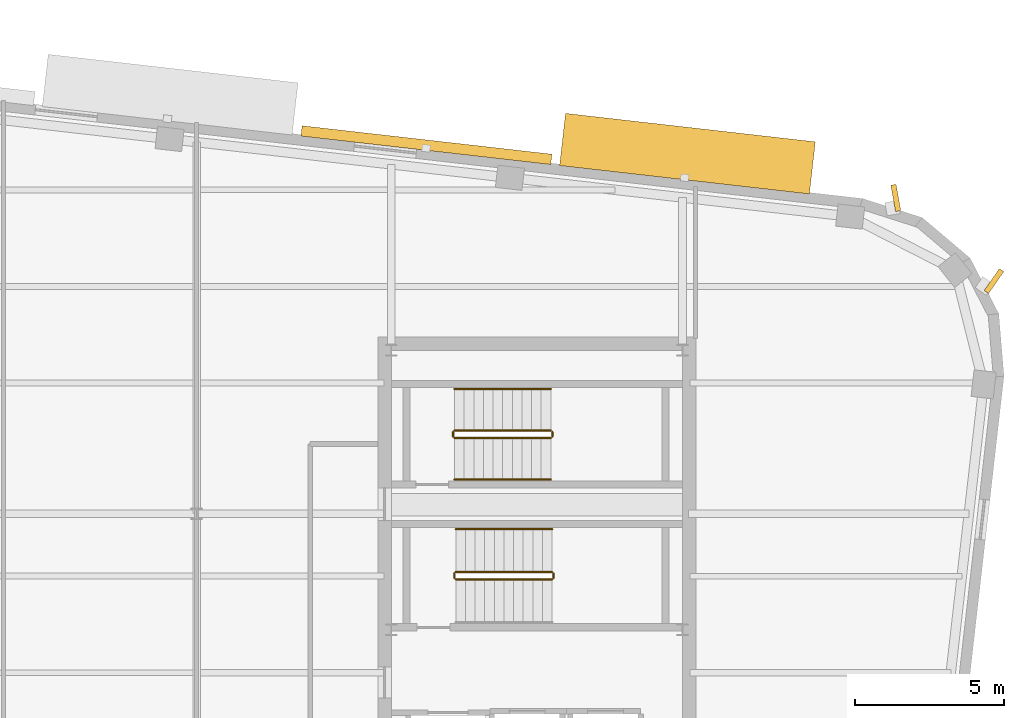
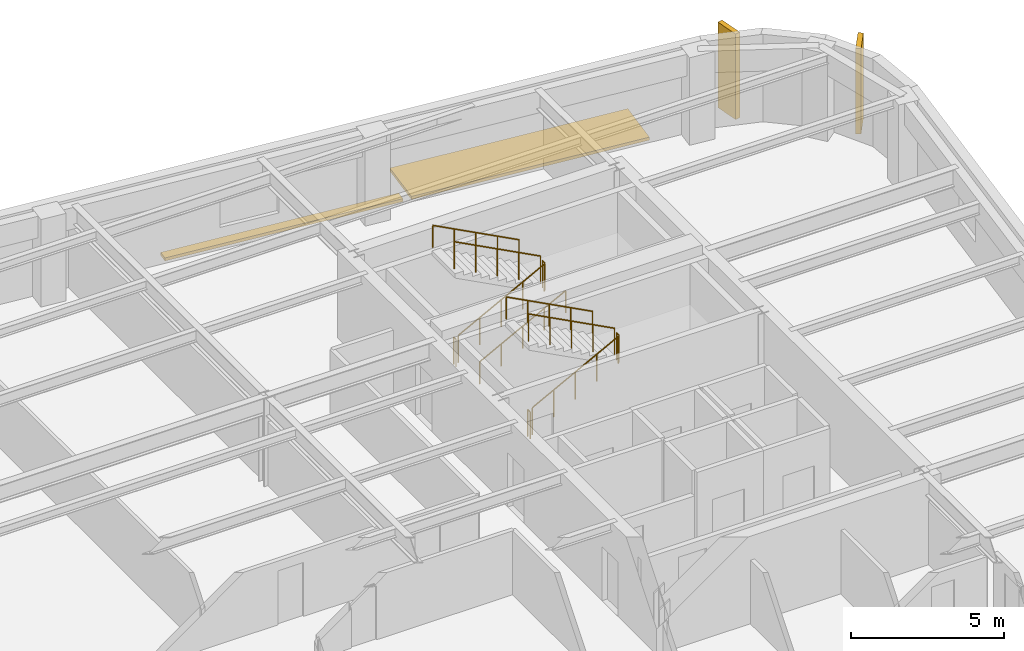
# One storey, part 13 of 14: 11 railings, 4 shading devices.
"""IFC4 building model written with IfcOpenShell, lengths in metres."""

from ifc_helpers import new_model, si_unit, direction, frame, origin, origin_2d, place, context, subcontext, project, spatial, rectangle, circle, extrude, material, type_object, element, save


model = new_model("IFC4")

# Units and contexts
model_context = context("Model", 3, precision=1e-05, world=origin(), true_north=direction((0.0, 1.0)))
body_context = subcontext(model_context, "Body", "Model", "MODEL_VIEW")
ifc_project = project(units=[si_unit("LENGTHUNIT", "METRE"), si_unit("AREAUNIT", "SQUARE_METRE"), si_unit("VOLUMEUNIT", "CUBIC_METRE"), si_unit("PLANEANGLEUNIT", "RADIAN"), si_unit("MASSUNIT", "GRAM", prefix="KILO")], contexts=[model_context])

# Site, building, storey
site_placement = place(None, origin())
site = spatial("IfcSite", under=ifc_project, at=site_placement, CompositionType="ELEMENT")
building_placement = place(site_placement, origin())
building = spatial("IfcBuilding", under=site, at=building_placement, Name="Kolvaren Arena Tower", CompositionType="ELEMENT")
storey_placement = place(building_placement, frame((0.0, 0.0, 224.699951171875)))
storey = spatial("IfcBuildingStorey", under=building, at=storey_placement, Name="L54", CompositionType="ELEMENT", Elevation=224.699951171875)

# Railings
ifc_material_1 = material(Name="Painted galvanized steel", Category="steel")
railing_type_1 = type_object("IfcRailingType", Name="GUARD-ST-110", PredefinedType="GUARDRAIL", material=ifc_material_1)
railing_1_placement = place(storey_placement, frame((52.719970703125, 31.639892578125, 0.17041015625)))
element("IfcRailing", 1, at=railing_1_placement, inside=storey, type_object=railing_type_1, Name="L54 ST-E1 stair guard 1", PredefinedType="GUARDRAIL", context=body_context, shape_type="SweptSolid", body=[
    extrude(circle(Radius=0.02392578125, at=origin_2d()), frame((0.0, 0.0, 1.076171875), z_axis=(0.884993431791, 0.0, 0.465603506952), x_axis=(0.0, 1.0, 0.0)), (0.0, 0.0, 1.0), 3.6611328125),
    extrude(circle(Radius=0.02099609375, at=origin_2d()), origin(), (0.0, 0.0, 1.0), 1.052001953125),
    extrude(circle(Radius=0.02099609375, at=origin_2d()), frame((0.81005859375, 0.0, 0.42626953125)), (0.0, 0.0, 1.0), 1.052001953125),
    extrude(circle(Radius=0.02099609375, at=origin_2d()), frame((1.6201171875, 0.0, 0.852294921875)), (0.0, 0.0, 1.0), 1.052001953125),
    extrude(circle(Radius=0.02099609375, at=origin_2d()), frame((2.429931640625, 0.0, 1.2783203125)), (0.0, 0.0, 1.0), 1.052001953125),
    extrude(circle(Radius=0.02099609375, at=origin_2d()), frame((3.239990234375, 0.0, 1.70458984375)), (0.0, 0.0, 1.0), 1.052001953125),
])
railing_2_placement = place(storey_placement, frame((56.010009765625, 31.68994140625, 1.875)))
element("IfcRailing", 2, at=railing_2_placement, inside=storey, type_object=railing_type_1, Name="L54 ST-E1 stair guard 2", PredefinedType="GUARDRAIL", context=body_context, shape_type="SweptSolid", body=[
    extrude(circle(Radius=0.02392578125, at=origin_2d()), frame((0.0, 0.0, 1.076171875), z_axis=(0.0, 1.0, 0.0), x_axis=(-1.0, 0.0, 0.0)), (0.0, 0.0, 1.0), 0.150146484375),
    extrude(circle(Radius=0.02099609375, at=origin_2d()), origin(), (0.0, 0.0, 1.0), 1.052001953125),
    extrude(circle(Radius=0.02099609375, at=origin_2d()), frame((0.0, 0.150146484375, 0.0)), (0.0, 0.0, 1.0), 1.052001953125),
])
railing_3_placement = place(storey_placement, frame((55.9599609375, 31.889892578125, 2.04541015625)))
element("IfcRailing", 3, at=railing_3_placement, inside=storey, type_object=railing_type_1, Name="L54 ST-E1 stair guard 3", PredefinedType="GUARDRAIL", context=body_context, shape_type="SweptSolid", body=[
    extrude(circle(Radius=0.02392578125, at=origin_2d()), frame((0.0, 0.0, 1.076171875), z_axis=(-0.884993431791, 0.0, 0.465603506952), x_axis=(0.0, -1.0, 0.0)), (0.0, 0.0, 1.0), 3.6611328125),
    extrude(circle(Radius=0.02099609375, at=origin_2d()), origin(), (0.0, 0.0, 1.0), 1.052001953125),
    extrude(circle(Radius=0.02099609375, at=origin_2d()), frame((-0.81005859375, 0.0, 0.42626953125)), (0.0, 0.0, 1.0), 1.052001953125),
    extrude(circle(Radius=0.02099609375, at=origin_2d()), frame((-1.6201171875, 0.0, 0.852294921875)), (0.0, 0.0, 1.0), 1.052001953125),
    extrude(circle(Radius=0.02099609375, at=origin_2d()), frame((-2.429931640625, 0.0, 1.2783203125)), (0.0, 0.0, 1.0), 1.052001953125),
    extrude(circle(Radius=0.02099609375, at=origin_2d()), frame((-3.239990234375, 0.0, 1.70458984375)), (0.0, 0.0, 1.0), 1.052001953125),
])
railing_4_placement = place(storey_placement, frame((52.669921875, 31.68994140625, 0.0)))
element("IfcRailing", 4, at=railing_4_placement, inside=storey, type_object=railing_type_1, Name="L54 ST-E1 stair guard 4", PredefinedType="GUARDRAIL", context=body_context, shape_type="SweptSolid", body=[
    extrude(circle(Radius=0.02392578125, at=origin_2d()), frame((0.0, 0.0, 1.076171875), z_axis=(0.0, 1.0, 0.0), x_axis=(-1.0, 0.0, 0.0)), (0.0, 0.0, 1.0), 0.150146484375),
    extrude(circle(Radius=0.02099609375, at=origin_2d()), origin(), (0.0, 0.0, 1.0), 1.052001953125),
    extrude(circle(Radius=0.02099609375, at=origin_2d()), frame((0.0, 0.150146484375, 0.0)), (0.0, 0.0, 1.0), 1.052001953125),
])
railing_5_placement = place(storey_placement, frame((52.679931640625, 36.39990234375, 0.17041015625)))
element("IfcRailing", 5, at=railing_5_placement, inside=storey, type_object=railing_type_1, Name="L54 ST-E2 stair guard 1", PredefinedType="GUARDRAIL", context=body_context, shape_type="SweptSolid", body=[
    extrude(circle(Radius=0.02392578125, at=origin_2d()), frame((0.0, 0.0, 1.076171875), z_axis=(0.884993431791, 0.0, 0.465603506952), x_axis=(0.0, 1.0, 0.0)), (0.0, 0.0, 1.0), 3.6611328125),
    extrude(circle(Radius=0.02099609375, at=origin_2d()), origin(), (0.0, 0.0, 1.0), 1.052001953125),
    extrude(circle(Radius=0.02099609375, at=origin_2d()), frame((0.81005859375, 0.0, 0.42626953125)), (0.0, 0.0, 1.0), 1.052001953125),
    extrude(circle(Radius=0.02099609375, at=origin_2d()), frame((1.6201171875, 0.0, 0.852294921875)), (0.0, 0.0, 1.0), 1.052001953125),
    extrude(circle(Radius=0.02099609375, at=origin_2d()), frame((2.429931640625, 0.0, 1.2783203125)), (0.0, 0.0, 1.0), 1.052001953125),
    extrude(circle(Radius=0.02099609375, at=origin_2d()), frame((3.239990234375, 0.0, 1.70458984375)), (0.0, 0.0, 1.0), 1.052001953125),
])
railing_6_placement = place(storey_placement, frame((55.969970703125, 36.449951171875, 1.875)))
element("IfcRailing", 6, at=railing_6_placement, inside=storey, type_object=railing_type_1, Name="L54 ST-E2 stair guard 2", PredefinedType="GUARDRAIL", context=body_context, shape_type="SweptSolid", body=[
    extrude(circle(Radius=0.02392578125, at=origin_2d()), frame((0.0, 0.0, 1.076171875), z_axis=(0.0, 1.0, 0.0), x_axis=(-1.0, 0.0, 0.0)), (0.0, 0.0, 1.0), 0.150146484375),
    extrude(circle(Radius=0.02099609375, at=origin_2d()), origin(), (0.0, 0.0, 1.0), 1.052001953125),
    extrude(circle(Radius=0.02099609375, at=origin_2d()), frame((0.0, 0.150146484375, 0.0)), (0.0, 0.0, 1.0), 1.052001953125),
])
railing_7_placement = place(storey_placement, frame((55.919921875, 36.64990234375, 2.04541015625)))
element("IfcRailing", 7, at=railing_7_placement, inside=storey, type_object=railing_type_1, Name="L54 ST-E2 stair guard 3", PredefinedType="GUARDRAIL", context=body_context, shape_type="SweptSolid", body=[
    extrude(circle(Radius=0.02392578125, at=origin_2d()), frame((0.0, 0.0, 1.076171875), z_axis=(-0.884993431791, 0.0, 0.465603506952), x_axis=(0.0, -1.0, 0.0)), (0.0, 0.0, 1.0), 3.6611328125),
    extrude(circle(Radius=0.02099609375, at=origin_2d()), origin(), (0.0, 0.0, 1.0), 1.052001953125),
    extrude(circle(Radius=0.02099609375, at=origin_2d()), frame((-0.81005859375, 0.0, 0.42626953125)), (0.0, 0.0, 1.0), 1.052001953125),
    extrude(circle(Radius=0.02099609375, at=origin_2d()), frame((-1.6201171875, 0.0, 0.852294921875)), (0.0, 0.0, 1.0), 1.052001953125),
    extrude(circle(Radius=0.02099609375, at=origin_2d()), frame((-2.429931640625, 0.0, 1.2783203125)), (0.0, 0.0, 1.0), 1.052001953125),
    extrude(circle(Radius=0.02099609375, at=origin_2d()), frame((-3.239990234375, 0.0, 1.70458984375)), (0.0, 0.0, 1.0), 1.052001953125),
])
railing_8_placement = place(storey_placement, frame((52.6298828125, 36.449951171875, 0.0)))
element("IfcRailing", 8, at=railing_8_placement, inside=storey, type_object=railing_type_1, Name="L54 ST-E2 stair guard 4", PredefinedType="GUARDRAIL", context=body_context, shape_type="SweptSolid", body=[
    extrude(circle(Radius=0.02392578125, at=origin_2d()), frame((0.0, 0.0, 1.076171875), z_axis=(0.0, 1.0, 0.0), x_axis=(-1.0, 0.0, 0.0)), (0.0, 0.0, 1.0), 0.150146484375),
    extrude(circle(Radius=0.02099609375, at=origin_2d()), origin(), (0.0, 0.0, 1.0), 1.052001953125),
    extrude(circle(Radius=0.02099609375, at=origin_2d()), frame((0.0, 0.150146484375, 0.0)), (0.0, 0.0, 1.0), 1.052001953125),
])
ifc_material_2 = material(Name="Brushed stainless steel handrail", Category="steel")
railing_type_2 = type_object("IfcRailingType", Name="HRAIL-900", PredefinedType="HANDRAIL", material=ifc_material_2)
railing_9_placement = place(storey_placement, frame((55.9599609375, 33.330078125, 2.04541015625)))
element("IfcRailing", 9, at=railing_9_placement, inside=storey, type_object=railing_type_2, Name="L54 ST-E1 stair handrail 2", PredefinedType="HANDRAIL", context=body_context, shape_type="SweptSolid", body=[
    extrude(circle(Radius=0.02392578125, at=origin_2d()), frame((0.0, 0.0, 0.8759765625), z_axis=(-0.884993431791, 0.0, 0.465603506952), x_axis=(0.0, -1.0, 0.0)), (0.0, 0.0, 1.0), 3.6611328125),
    extrude(circle(Radius=0.02099609375, at=origin_2d()), origin(), (0.0, 0.0, 1.0), 0.851806640625),
    extrude(circle(Radius=0.02099609375, at=origin_2d()), frame((-0.81005859375, 0.0, 0.42626953125)), (0.0, 0.0, 1.0), 0.851806640625),
    extrude(circle(Radius=0.02099609375, at=origin_2d()), frame((-1.6201171875, 0.0, 0.852294921875)), (0.0, 0.0, 1.0), 0.851806640625),
    extrude(circle(Radius=0.02099609375, at=origin_2d()), frame((-2.429931640625, 0.0, 1.2783203125)), (0.0, 0.0, 1.0), 0.851806640625),
    extrude(circle(Radius=0.02099609375, at=origin_2d()), frame((-3.239990234375, 0.0, 1.70458984375)), (0.0, 0.0, 1.0), 0.851806640625),
])
railing_10_placement = place(storey_placement, frame((52.679931640625, 35.0, 0.17041015625)))
element("IfcRailing", 10, at=railing_10_placement, inside=storey, type_object=railing_type_2, Name="L54 ST-E2 stair handrail 1", PredefinedType="HANDRAIL", context=body_context, shape_type="SweptSolid", body=[
    extrude(circle(Radius=0.02392578125, at=origin_2d()), frame((0.0, 0.0, 0.8759765625), z_axis=(0.884993431791, 0.0, 0.465603506952), x_axis=(0.0, 1.0, 0.0)), (0.0, 0.0, 1.0), 3.6611328125),
    extrude(circle(Radius=0.02099609375, at=origin_2d()), origin(), (0.0, 0.0, 1.0), 0.851806640625),
    extrude(circle(Radius=0.02099609375, at=origin_2d()), frame((0.81005859375, 0.0, 0.42626953125)), (0.0, 0.0, 1.0), 0.851806640625),
    extrude(circle(Radius=0.02099609375, at=origin_2d()), frame((1.6201171875, 0.0, 0.852294921875)), (0.0, 0.0, 1.0), 0.851806640625),
    extrude(circle(Radius=0.02099609375, at=origin_2d()), frame((2.429931640625, 0.0, 1.2783203125)), (0.0, 0.0, 1.0), 0.851806640625),
    extrude(circle(Radius=0.02099609375, at=origin_2d()), frame((3.239990234375, 0.0, 1.70458984375)), (0.0, 0.0, 1.0), 0.851806640625),
])
railing_11_placement = place(storey_placement, frame((55.919921875, 38.050048828125, 2.04541015625)))
element("IfcRailing", 11, at=railing_11_placement, inside=storey, type_object=railing_type_2, Name="L54 ST-E2 stair handrail 2", PredefinedType="HANDRAIL", context=body_context, shape_type="SweptSolid", body=[
    extrude(circle(Radius=0.02392578125, at=origin_2d()), frame((0.0, 0.0, 0.8759765625), z_axis=(-0.884993431791, 0.0, 0.465603506952), x_axis=(0.0, -1.0, 0.0)), (0.0, 0.0, 1.0), 3.6611328125),
    extrude(circle(Radius=0.02099609375, at=origin_2d()), origin(), (0.0, 0.0, 1.0), 0.851806640625),
    extrude(circle(Radius=0.02099609375, at=origin_2d()), frame((-0.81005859375, 0.0, 0.42626953125)), (0.0, 0.0, 1.0), 0.851806640625),
    extrude(circle(Radius=0.02099609375, at=origin_2d()), frame((-1.6201171875, 0.0, 0.852294921875)), (0.0, 0.0, 1.0), 0.851806640625),
    extrude(circle(Radius=0.02099609375, at=origin_2d()), frame((-2.429931640625, 0.0, 1.2783203125)), (0.0, 0.0, 1.0), 0.851806640625),
    extrude(circle(Radius=0.02099609375, at=origin_2d()), frame((-3.239990234375, 0.0, 1.70458984375)), (0.0, 0.0, 1.0), 0.851806640625),
])

# Shading devices
ifc_material_3 = material(Name="Precast architectural concrete C50/60 rib fin", Category="concrete")
shading_device_type_1 = type_object("IfcShadingDeviceType", Name="SHAD-FIN-28", PredefinedType="USERDEFINED", material=ifc_material_3)
for number, where, z_axis, x_axis, name in (
    (12, (70.830810546875, 41.679931640625, 0.02001953125), (0.0, 0.0, 1.0), (0.569965213199, 0.821668823641, 0.0), "Precast 28-Deg Corner Rib Fin (L54)"),
    (13, (67.526611328125, 44.47705078125, 0.02001953125), (0.0, 0.0, 1.0), (-0.177965872603, 0.984036659982, 0.0), "Precast 28-Deg Corner Rib Fin (L54)"),
):
    element("IfcShadingDevice", number, at=place(storey_placement, frame(where, z_axis=z_axis, x_axis=x_axis)), inside=storey, type_object=shading_device_type_1, Name=name, ObjectType="FIN", PredefinedType="USERDEFINED", context=body_context, shape_type="SweptSolid", body=[
        extrude(rectangle(XDim=0.89990234375, YDim=0.179931640625, at=origin_2d()), origin(), (0.0, 0.0, 1.0), 3.39990234375),
    ])
ifc_material_4 = material(Name="Architectural precast GFRC and anodised aluminium sunshade", Category="concrete")
shading_device_type_2 = type_object("IfcShadingDeviceType", Name="SHAD-SINE-A", PredefinedType="USERDEFINED", material=ifc_material_4)
shading_device_1_placement = place(storey_placement, frame((51.73291015625, 46.25390625, -0.139892578125), z_axis=(0.0, 0.0, 1.0), x_axis=(0.993571658098, -0.113204947878, 0.0)))
element("IfcShadingDevice", 14, at=shading_device_1_placement, inside=storey, type_object=shading_device_type_2, Name="Sinusoidal Slab-Edge Sunshade Louvre (L54)", ObjectType="LOUVRE", PredefinedType="USERDEFINED", context=body_context, shape_type="SweptSolid", body=[
    extrude(rectangle(XDim=8.4599609375, YDim=0.35009765625, at=origin_2d()), origin(), (0.0, 0.0, 1.0), 0.1201171875),
])
shading_device_type_3 = type_object("IfcShadingDeviceType", Name="SHAD-SINE-B", PredefinedType="JALOUSIE", material=ifc_material_4)
shading_device_2_placement = place(storey_placement, frame((60.5166015625, 45.96630859375, -0.139892578125), z_axis=(0.0, 0.0, 1.0), x_axis=(0.993571658098, -0.113204947878, 0.0)))
element("IfcShadingDevice", 15, at=shading_device_2_placement, inside=storey, type_object=shading_device_type_3, Name="Sinusoidal Slab-Edge Sunshade Louvre (L54)", PredefinedType="JALOUSIE", context=body_context, shape_type="SweptSolid", body=[
    extrude(rectangle(XDim=8.4599609375, YDim=1.76708984375, at=origin_2d()), origin(), (0.0, 0.0, 1.0), 0.1201171875),
])

save(model, "model.ifc")
